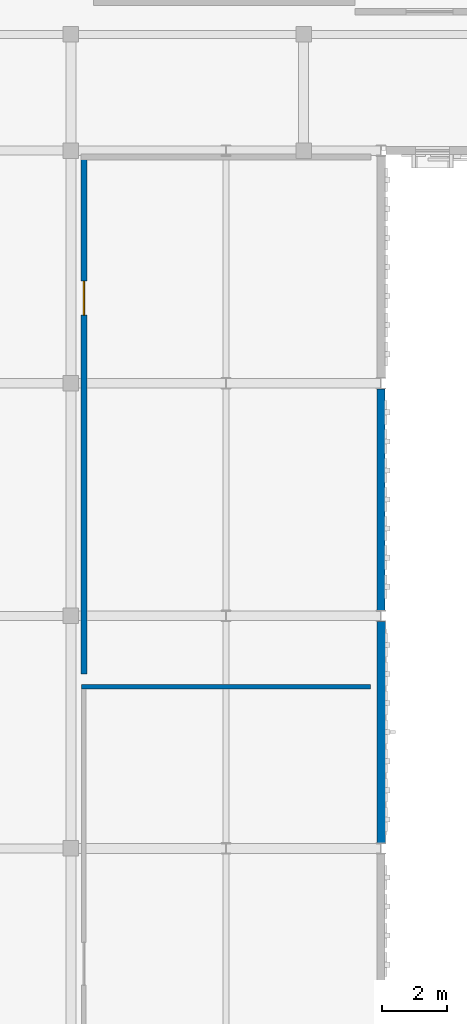
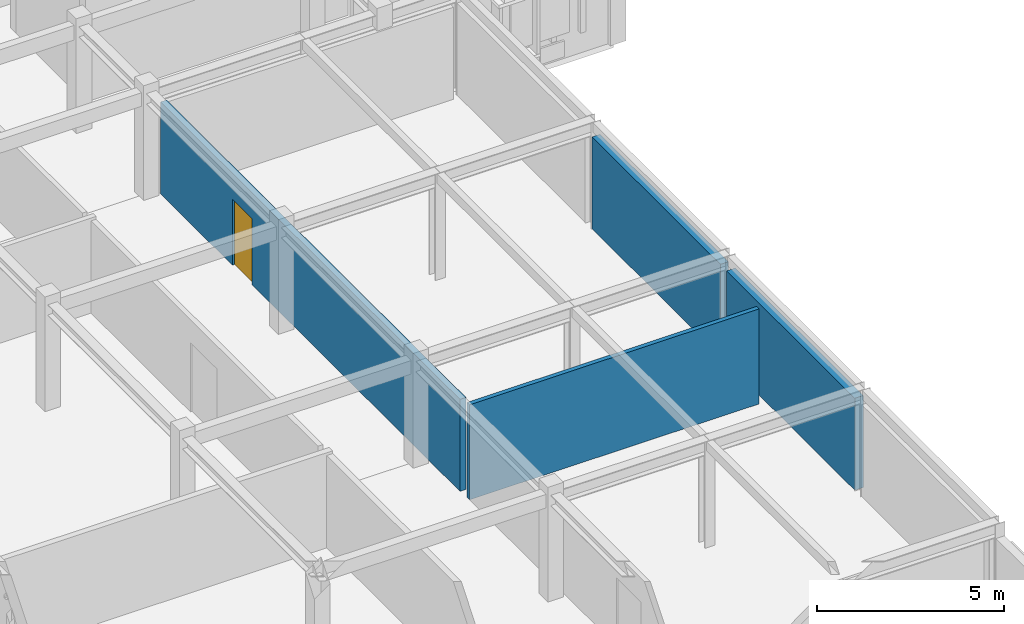
# One storey, part 25 of 53: 4 walls, 1 door, 1 opening.
"""IFC4 building model written with IfcOpenShell, lengths in metres."""

from ifc_helpers import new_model, si_unit, direction, frame, frame_2d, origin, place, context, subcontext, project, spatial, rectangle, extrude, material, layer, layer_set, type_object, element, fill, save


model = new_model("IFC4")

# Units and contexts
model_context = context("Model", 3, precision=1e-05, world=origin(), true_north=direction((0.0, 1.0)))
body_context = subcontext(model_context, "Body", "Model", "MODEL_VIEW")
ifc_project = project(units=[si_unit("LENGTHUNIT", "METRE"), si_unit("AREAUNIT", "SQUARE_METRE"), si_unit("VOLUMEUNIT", "CUBIC_METRE"), si_unit("PLANEANGLEUNIT", "RADIAN"), si_unit("MASSUNIT", "GRAM", prefix="KILO")], contexts=[model_context])

# Site, building, storey
site_placement = place(None, origin())
site = spatial("IfcSite", under=ifc_project, at=site_placement, CompositionType="ELEMENT")
building_placement = place(site_placement, origin())
building = spatial("IfcBuilding", under=site, at=building_placement, Name="Nzembalo Square Collegiate School", CompositionType="ELEMENT")
storey_placement = place(building_placement, frame((0.0, 0.0, 13.60009765625)))
storey = spatial("IfcBuildingStorey", under=building, at=storey_placement, Name="L03", CompositionType="ELEMENT", Elevation=13.60009765625)

# Walls
ifc_material_1 = material(Name="Concrete C30/37", Category="concrete")
ifc_layer_1 = layer(ifc_material_1, 0.264892578125, Name="Concrete C30/37")
ifc_layer_set_1 = layer_set([ifc_layer_1], Name="Concrete C30/37")
wall_type_1 = type_object("IfcWallType", Name="W06", PredefinedType="SOLIDWALL", material=ifc_layer_set_1)
wall_1_placement = place(storey_placement, frame((32.39990234375, 57.77197265625, 0.0), z_axis=(0.0, 0.0, 1.0), x_axis=(0.0, 1.0, 0.0)))
element("IfcWall", 1, at=wall_1_placement, inside=storey, type_object=wall_type_1, Name="Exterior wall W06 L03", PredefinedType="SOLIDWALL", context=body_context, shape_type="SweptSolid", body=[
    extrude(rectangle(XDim=6.85595703125, YDim=0.264892578125, at=frame_2d((3.427978515625, 0.0))), origin(), (0.0, 0.0, 1.0), 2.9990234375),
])
ifc_material_2 = material(Name="CLT CL24", Category="wood")
ifc_layer_2 = layer(ifc_material_2, 0.2451171875, Name="CLT CL24")
ifc_layer_set_2 = layer_set([ifc_layer_2], Name="CLT CL24")
wall_type_2 = type_object("IfcWallType", Name="W07", PredefinedType="SOLIDWALL", material=ifc_layer_set_2)
wall_2_placement = place(storey_placement, frame((32.39990234375, 64.971923828125, 0.0), z_axis=(0.0, 0.0, 1.0), x_axis=(0.0, 1.0, 0.0)))
element("IfcWall", 2, at=wall_2_placement, inside=storey, type_object=wall_type_2, Name="Exterior wall W07 L03", PredefinedType="SOLIDWALL", context=body_context, shape_type="SweptSolid", body=[
    extrude(rectangle(XDim=6.85595703125, YDim=0.2451171875, at=frame_2d((3.427978515625, 0.0))), origin(), (0.0, 0.0, 1.0), 2.9990234375),
])
ifc_material_3 = material(Name="Cement-board wet-room partition")
ifc_layer_3 = layer(ifc_material_3, 0.135009765625, Name="Cement-board wet-room partition")
ifc_layer_set_3 = layer_set([ifc_layer_3], Name="Cement-board wet-room partition")
wall_type_3 = type_object("IfcWallType", Name="W19", PredefinedType="PARTITIONING", material=ifc_layer_set_3)
wall_3_placement = place(storey_placement, frame((23.132568359375, 62.60009765625, 0.0), z_axis=(0.0, 0.0, 1.0), x_axis=(1.0, 0.0, 0.0)))
element("IfcWall", 3, at=wall_3_placement, inside=storey, type_object=wall_type_3, Name="Interior partition W19 L03-022-N", PredefinedType="PARTITIONING", context=body_context, shape_type="SweptSolid", body=[
    extrude(rectangle(XDim=8.934814453125, YDim=0.135009765625, at=frame_2d((4.46728515625, 0.0))), origin(), (0.0, 0.0, 1.0), 3.098876953125),
])

# Wall, opening, door
ifc_material_4 = material(Name="High-mass acoustic blockwork", Category="masonry")
ifc_layer_4 = layer(ifc_material_4, 0.18505859375, Name="High-mass acoustic blockwork")
ifc_layer_set_4 = layer_set([ifc_layer_4], Name="High-mass acoustic blockwork")
wall_type_4 = type_object("IfcWallType", Name="W22", PredefinedType="PARTITIONING", material=ifc_layer_set_4)
wall_4_placement = place(storey_placement, frame((23.199951171875, 63.0, 0.0), z_axis=(0.0, 0.0, 1.0), x_axis=(0.0, 1.0, 0.0)))
wall_4 = element("IfcWall", 4, at=wall_4_placement, inside=storey, type_object=wall_type_4, Name="Interior partition W22 L03-023-W", PredefinedType="PARTITIONING", context=body_context, shape_type="SweptSolid", body=[
    extrude(rectangle(XDim=16.0, YDim=0.18505859375, at=frame_2d((8.0, 0.0))), origin(), (0.0, 0.0, 1.0), 2.9990234375),
])
opening_placement = place(wall_4_placement, frame((11.112548828125, 0.0, 0.0)))
opening = element("IfcOpeningElement", 5, at=opening_placement, cuts=wall_4, Name="Opening D-L03-079", PredefinedType="OPENING", context=body_context, shape_type="SweptSolid", body=[
    extrude(rectangle(XDim=1.050048828125, YDim=2.14990234375, at=frame_2d((0.52490234375, 1.074951171875))), frame((0.0, 0.1025390625, 0.0), z_axis=(0.0, -1.0, 0.0), x_axis=(1.0, 0.0, 0.0)), (0.0, 0.0, 1.0), 0.205078125),
])
ifc_material_5 = material(Name="Fire-rated steel store door", Category="steel")
door_type = type_object("IfcDoorType", Name="FD03", OperationType="NOTDEFINED", PredefinedType="DOOR", material=ifc_material_5)
door_placement = place(opening_placement, origin())
door = element("IfcDoor", 6, at=door_placement, inside=storey, type_object=door_type, Name="Interior door D-L03-079 (Visual Arts and Ceramics Studio 3E)", OperationType="SINGLE_SWING_RIGHT", OverallHeight=2.14990234375, OverallWidth=1.050048828125, PredefinedType="DOOR", context=body_context, shape_type="SweptSolid", body=[
    extrude(rectangle(XDim=1.050048828125, YDim=2.14990234375, at=frame_2d((0.52490234375, 1.074951171875))), frame((0.0, 0.02490234375, 0.0), z_axis=(0.0, -1.0, 0.0), x_axis=(1.0, 0.0, 0.0)), (0.0, 0.0, 1.0), 0.050048828125),
])
fill(opening, door)

save(model, "model.ifc")
